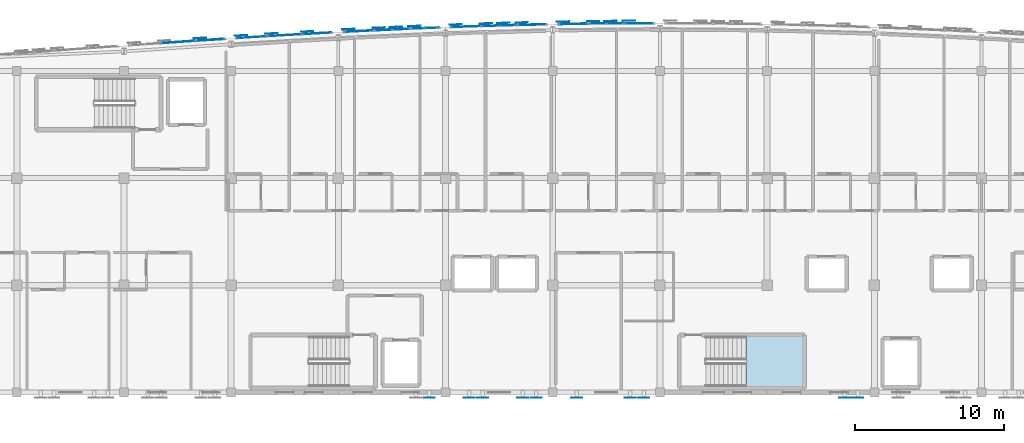
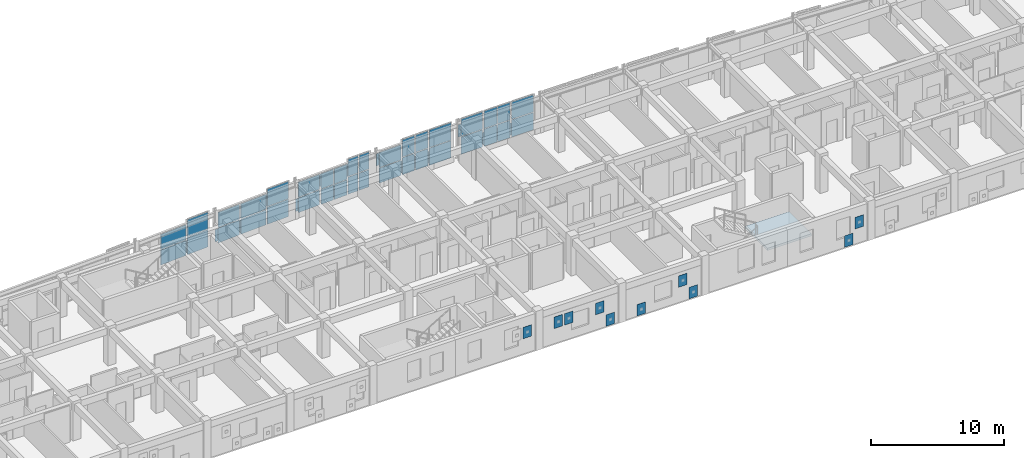
# One storey, part 32 of 48: 62 plates, 1 slab, 15 elements without a shape of their own.
"""IFC4 building model written with IfcOpenShell, lengths in metres."""

from ifc_helpers import new_model, si_unit, direction, frame, origin, origin_2d, place, context, subcontext, project, spatial, polyline, rectangle, outline, extrude, material, layer, layer_set, type_object, element, aggregate, save


model = new_model("IFC4")

# Units and contexts
model_context = context("Model", 3, precision=1e-05, world=origin(), true_north=direction((0.0, 1.0)))
body_context = subcontext(model_context, "Body", "Model", "MODEL_VIEW")
ifc_project = project(units=[si_unit("LENGTHUNIT", "METRE"), si_unit("AREAUNIT", "SQUARE_METRE"), si_unit("VOLUMEUNIT", "CUBIC_METRE"), si_unit("PLANEANGLEUNIT", "RADIAN"), si_unit("MASSUNIT", "GRAM", prefix="KILO")], contexts=[model_context])

# Site, building, storey
site_placement = place(None, origin())
site = spatial("IfcSite", under=ifc_project, at=site_placement, CompositionType="ELEMENT")
building_placement = place(site_placement, origin())
building = spatial("IfcBuilding", under=site, at=building_placement, Name="Carrowvane Square Congress Hotel", CompositionType="ELEMENT")
storey_placement = place(building_placement, frame((0.0, 0.0, 26.39990234375)))
storey = spatial("IfcBuildingStorey", under=building, at=storey_placement, Name="L06", CompositionType="ELEMENT", Elevation=26.39990234375)

# Curtain wall, plates
ifc_material_1 = material(Name="Anodised aluminium", Category="aluminium")
ifc_layer_1 = layer(ifc_material_1, 0.18603515625)
ifc_layer_set_1 = layer_set([ifc_layer_1], Name="Anodised aluminium")
curtain_wall_type_1 = type_object("IfcCurtainWallType", Name="CW-SYS-3", PredefinedType="NOTDEFINED", material=ifc_layer_set_1)
curtain_wall_1_placement = place(storey_placement, origin())
curtain_wall_1 = element("IfcCurtainWall", 1, at=curtain_wall_1_placement, inside=storey, type_object=curtain_wall_type_1, Name="L06 unitised curtain wall 370", PredefinedType="NOTDEFINED")
ifc_material_2 = material(Name="Double-glazed low-E glass", Category="glass")
ifc_layer_2 = layer(ifc_material_2, 0.028076171875)
ifc_layer_set_2 = layer_set([ifc_layer_2], Name="Double-glazed low-E glass")
plate_type_1 = type_object("IfcPlateType", Name="CW-PAN-1", PredefinedType="CURTAIN_PANEL", material=ifc_layer_set_2)
plate_1_placement = place(storey_placement, frame((70.580078125, 115.66064453125, 0.06005859375), z_axis=(0.0, 0.0, 1.0), x_axis=(0.998051378998, 0.062397474952, 0.0)))
plate_1 = element("IfcPlate", 2, at=plate_1_placement, type_object=plate_type_1, Name="CW-3 panel 1.1", PredefinedType="CURTAIN_PANEL", context=body_context, shape_type="SweptSolid", body=[
    extrude(rectangle(XDim=1.924072265625, YDim=0.028076171875, at=origin_2d()), origin(), (0.0, 0.0, 1.0), 1.372802734375),
])
plate_2_placement = place(storey_placement, frame((70.580078125, 115.66064453125, 1.49267578125), z_axis=(0.0, 0.0, 1.0), x_axis=(0.998051378998, 0.062397474952, 0.0)))
plate_2 = element("IfcPlate", 3, at=plate_2_placement, type_object=plate_type_1, Name="CW-3 panel 1.2", PredefinedType="CURTAIN_PANEL", context=body_context, shape_type="SweptSolid", body=[
    extrude(rectangle(XDim=1.924072265625, YDim=0.028076171875, at=origin_2d()), origin(), (0.0, 0.0, 1.0), 1.372802734375),
])
aggregate(curtain_wall_1, [plate_1, plate_2])

ifc_material_3 = material(Name="Anodised aluminium", Category="aluminium")
ifc_layer_3 = layer(ifc_material_3, 0.24609375)
ifc_layer_set_3 = layer_set([ifc_layer_3], Name="Anodised aluminium")
curtain_wall_type_2 = type_object("IfcCurtainWallType", Name="CW-SYS-8", PredefinedType="NOTDEFINED", material=ifc_layer_set_3)
curtain_wall_2_placement = place(storey_placement, origin())
curtain_wall_2 = element("IfcCurtainWall", 4, at=curtain_wall_2_placement, inside=storey, type_object=curtain_wall_type_2, Name="L06 unitised curtain wall 375", PredefinedType="NOTDEFINED")
plate_3_placement = place(storey_placement, frame((81.7177734375, 116.248291015625, 0.06982421875), z_axis=(0.0, 0.0, 1.0), x_axis=(0.999194236464, 0.040135742379, 0.0)))
plate_3 = element("IfcPlate", 5, at=plate_3_placement, type_object=plate_type_1, Name="CW-8 panel 1.1", PredefinedType="CURTAIN_PANEL", context=body_context, shape_type="SweptSolid", body=[
    extrude(rectangle(XDim=0.896240234375, YDim=0.028076171875, at=origin_2d()), origin(), (0.0, 0.0, 1.0), 1.570068359375),
])
plate_4_placement = place(storey_placement, frame((81.7177734375, 116.248291015625, 1.7099609375), z_axis=(0.0, 0.0, 1.0), x_axis=(0.999194236464, 0.040135742379, 0.0)))
plate_4 = element("IfcPlate", 6, at=plate_4_placement, type_object=plate_type_1, Name="CW-8 panel 1.2", PredefinedType="CURTAIN_PANEL", context=body_context, shape_type="SweptSolid", body=[
    extrude(rectangle(XDim=0.896240234375, YDim=0.028076171875, at=origin_2d()), origin(), (0.0, 0.0, 1.0), 1.570068359375),
])
plate_5_placement = place(storey_placement, frame((82.683349609375, 116.287109375, 0.06982421875), z_axis=(0.0, 0.0, 1.0), x_axis=(0.999194236464, 0.040135742379, 0.0)))
plate_5 = element("IfcPlate", 7, at=plate_5_placement, type_object=plate_type_1, Name="CW-8 panel 2.1", PredefinedType="CURTAIN_PANEL", context=body_context, shape_type="SweptSolid", body=[
    extrude(rectangle(XDim=0.896240234375, YDim=0.028076171875, at=origin_2d()), origin(), (0.0, 0.0, 1.0), 1.570068359375),
])
plate_6_placement = place(storey_placement, frame((82.683349609375, 116.287109375, 1.7099609375), z_axis=(0.0, 0.0, 1.0), x_axis=(0.999194236464, 0.040135742379, 0.0)))
plate_6 = element("IfcPlate", 8, at=plate_6_placement, type_object=plate_type_1, Name="CW-8 panel 2.2", PredefinedType="CURTAIN_PANEL", context=body_context, shape_type="SweptSolid", body=[
    extrude(rectangle(XDim=0.896240234375, YDim=0.028076171875, at=origin_2d()), origin(), (0.0, 0.0, 1.0), 1.570068359375),
])
aggregate(curtain_wall_2, [plate_3, plate_4, plate_5, plate_6])

ifc_material_4 = material(Name="Anodised aluminium", Category="aluminium")
ifc_layer_4 = layer(ifc_material_4, 0.2099609375)
ifc_layer_set_4 = layer_set([ifc_layer_4], Name="Anodised aluminium")
curtain_wall_type_3 = type_object("IfcCurtainWallType", Name="CW-SYS-5", PredefinedType="NOTDEFINED", material=ifc_layer_set_4)
curtain_wall_3_placement = place(storey_placement, origin())
curtain_wall_3 = element("IfcCurtainWall", 9, at=curtain_wall_3_placement, inside=storey, type_object=curtain_wall_type_3, Name="L06 unitised curtain wall 380", PredefinedType="NOTDEFINED")
plate_7_placement = place(storey_placement, frame((93.81494140625, 116.57470703125, 0.06005859375), z_axis=(0.0, 0.0, 1.0), x_axis=(0.999952146231, 0.009782905924, 0.0)))
plate_7 = element("IfcPlate", 10, at=plate_7_placement, type_object=plate_type_1, Name="CW-5 panel 1.1", PredefinedType="CURTAIN_PANEL", context=body_context, shape_type="SweptSolid", body=[
    extrude(rectangle(XDim=1.110107421875, YDim=0.028076171875, at=origin_2d()), origin(), (0.0, 0.0, 1.0), 1.5849609375),
])
plate_8_placement = place(storey_placement, frame((93.81494140625, 116.57470703125, 1.705078125), z_axis=(0.0, 0.0, 1.0), x_axis=(0.999952146231, 0.009782905924, 0.0)))
plate_8 = element("IfcPlate", 11, at=plate_8_placement, type_object=plate_type_1, Name="CW-5 panel 1.2", PredefinedType="CURTAIN_PANEL", context=body_context, shape_type="SweptSolid", body=[
    extrude(rectangle(XDim=1.110107421875, YDim=0.028076171875, at=origin_2d()), origin(), (0.0, 0.0, 1.0), 1.5849609375),
])
plate_9_placement = place(storey_placement, frame((94.985107421875, 116.586181640625, 0.06005859375), z_axis=(0.0, 0.0, 1.0), x_axis=(0.999952146231, 0.009782905924, 0.0)))
plate_9 = element("IfcPlate", 12, at=plate_9_placement, type_object=plate_type_1, Name="CW-5 panel 2.1", PredefinedType="CURTAIN_PANEL", context=body_context, shape_type="SweptSolid", body=[
    extrude(rectangle(XDim=1.110107421875, YDim=0.028076171875, at=origin_2d()), origin(), (0.0, 0.0, 1.0), 1.5849609375),
])
plate_10_placement = place(storey_placement, frame((94.985107421875, 116.586181640625, 1.705078125), z_axis=(0.0, 0.0, 1.0), x_axis=(0.999952146231, 0.009782905924, 0.0)))
plate_10 = element("IfcPlate", 13, at=plate_10_placement, type_object=plate_type_1, Name="CW-5 panel 2.2", PredefinedType="CURTAIN_PANEL", context=body_context, shape_type="SweptSolid", body=[
    extrude(rectangle(XDim=1.110107421875, YDim=0.028076171875, at=origin_2d()), origin(), (0.0, 0.0, 1.0), 1.5849609375),
])
aggregate(curtain_wall_3, [plate_7, plate_8, plate_9, plate_10])

ifc_material_5 = material(Name="Anodised aluminium", Category="aluminium")
ifc_layer_5 = layer(ifc_material_5, 0.197998046875)
ifc_layer_set_5 = layer_set([ifc_layer_5], Name="Anodised aluminium")
curtain_wall_type_4 = type_object("IfcCurtainWallType", Name="CW-SYS-4", PredefinedType="NOTDEFINED", material=ifc_layer_set_5)
curtain_wall_4_placement = place(storey_placement, origin())
curtain_wall_4 = element("IfcCurtainWall", 14, at=curtain_wall_4_placement, inside=storey, type_object=curtain_wall_type_4, Name="L06 unitised curtain wall 371", PredefinedType="NOTDEFINED")
ifc_material_6 = material(Name="Double-glazed low-E glass", Category="glass")
ifc_layer_6 = layer(ifc_material_6, 0.031982421875)
ifc_layer_set_6 = layer_set([ifc_layer_6], Name="Double-glazed low-E glass")
plate_type_2 = type_object("IfcPlateType", Name="CW-PAN-2", PredefinedType="CURTAIN_PANEL", material=ifc_layer_set_6)
plate_11_placement = place(storey_placement, frame((72.800048828125, 115.795166015625, 0.070068359375), z_axis=(0.0, 0.0, 1.0), x_axis=(0.998266763162, 0.058851249486, 0.0)))
plate_11 = element("IfcPlate", 15, at=plate_11_placement, type_object=plate_type_2, Name="CW-4 panel 1.1", PredefinedType="CURTAIN_PANEL", context=body_context, shape_type="SweptSolid", body=[
    extrude(rectangle(XDim=2.26416015625, YDim=0.031982421875, at=origin_2d()), origin(), (0.0, 0.0, 1.0), 1.35791015625),
])
plate_12_placement = place(storey_placement, frame((72.800048828125, 115.795166015625, 1.497802734375), z_axis=(0.0, 0.0, 1.0), x_axis=(0.998266763162, 0.058851249486, 0.0)))
plate_12 = element("IfcPlate", 16, at=plate_12_placement, type_object=plate_type_2, Name="CW-4 panel 1.2", PredefinedType="CURTAIN_PANEL", context=body_context, shape_type="SweptSolid", body=[
    extrude(rectangle(XDim=2.26416015625, YDim=0.031982421875, at=origin_2d()), origin(), (0.0, 0.0, 1.0), 1.35791015625),
])
aggregate(curtain_wall_4, [plate_11, plate_12])

ifc_material_7 = material(Name="Anodised aluminium", Category="aluminium")
ifc_layer_7 = layer(ifc_material_7, 0.162109375)
ifc_layer_set_7 = layer_set([ifc_layer_7], Name="Anodised aluminium")
curtain_wall_type_5 = type_object("IfcCurtainWallType", Name="CW-SYS-1", PredefinedType="NOTDEFINED", material=ifc_layer_set_7)
curtain_wall_5_placement = place(storey_placement, origin())
curtain_wall_5 = element("IfcCurtainWall", 17, at=curtain_wall_5_placement, inside=storey, type_object=curtain_wall_type_5, Name="L06 unitised curtain wall 376", PredefinedType="NOTDEFINED")
plate_13_placement = place(storey_placement, frame((84.9853515625, 116.371826171875, 0.06005859375), z_axis=(0.0, 0.0, 1.0), x_axis=(0.999403774749, 0.034526729036, 0.0)))
plate_13 = element("IfcPlate", 18, at=plate_13_placement, type_object=plate_type_2, Name="CW-1 panel 1.1", PredefinedType="CURTAIN_PANEL", context=body_context, shape_type="SweptSolid", body=[
    extrude(rectangle(XDim=1.91064453125, YDim=0.031982421875, at=origin_2d()), origin(), (0.0, 0.0, 1.0), 1.372802734375),
])
plate_14_placement = place(storey_placement, frame((84.9853515625, 116.371826171875, 1.49267578125), z_axis=(0.0, 0.0, 1.0), x_axis=(0.999403774749, 0.034526729036, 0.0)))
plate_14 = element("IfcPlate", 19, at=plate_14_placement, type_object=plate_type_2, Name="CW-1 panel 1.2", PredefinedType="CURTAIN_PANEL", context=body_context, shape_type="SweptSolid", body=[
    extrude(rectangle(XDim=1.91064453125, YDim=0.031982421875, at=origin_2d()), origin(), (0.0, 0.0, 1.0), 1.372802734375),
])
aggregate(curtain_wall_5, [plate_13, plate_14])

ifc_material_8 = material(Name="Anodised aluminium", Category="aluminium")
ifc_layer_8 = layer(ifc_material_8, 0.221923828125)
ifc_layer_set_8 = layer_set([ifc_layer_8], Name="Anodised aluminium")
curtain_wall_type_6 = type_object("IfcCurtainWallType", Name="CW-SYS-6", PredefinedType="NOTDEFINED", material=ifc_layer_set_8)
curtain_wall_6_placement = place(storey_placement, origin())
curtain_wall_6 = element("IfcCurtainWall", 20, at=curtain_wall_6_placement, inside=storey, type_object=curtain_wall_type_6, Name="L06 unitised curtain wall 381", PredefinedType="NOTDEFINED")
plate_15_placement = place(storey_placement, frame((96.607666015625, 116.595458984375, 0.06982421875), z_axis=(0.0, 0.0, 1.0), x_axis=(0.999994652529, 0.003270307911, 0.0)))
plate_15 = element("IfcPlate", 21, at=plate_15_placement, type_object=plate_type_2, Name="CW-6 panel 1.1", PredefinedType="CURTAIN_PANEL", context=body_context, shape_type="SweptSolid", body=[
    extrude(rectangle(XDim=1.875, YDim=0.031982421875, at=origin_2d()), origin(), (0.0, 0.0, 1.0), 1.570068359375),
])
plate_16_placement = place(storey_placement, frame((96.607666015625, 116.595458984375, 1.7099609375), z_axis=(0.0, 0.0, 1.0), x_axis=(0.999994652529, 0.003270307911, 0.0)))
plate_16 = element("IfcPlate", 22, at=plate_16_placement, type_object=plate_type_2, Name="CW-6 panel 1.2", PredefinedType="CURTAIN_PANEL", context=body_context, shape_type="SweptSolid", body=[
    extrude(rectangle(XDim=1.875, YDim=0.031982421875, at=origin_2d()), origin(), (0.0, 0.0, 1.0), 1.570068359375),
])
aggregate(curtain_wall_6, [plate_15, plate_16])

curtain_wall_7_placement = place(storey_placement, origin())
curtain_wall_7 = element("IfcCurtainWall", 23, at=curtain_wall_7_placement, inside=storey, type_object=curtain_wall_type_3, Name="L06 unitised curtain wall 372", PredefinedType="NOTDEFINED")
ifc_material_9 = material(Name="Double-glazed low-E glass", Category="glass")
ifc_layer_9 = layer(ifc_material_9, 0.035888671875)
ifc_layer_set_9 = layer_set([ifc_layer_9], Name="Double-glazed low-E glass")
plate_type_3 = type_object("IfcPlateType", Name="CW-PAN-3", PredefinedType="CURTAIN_PANEL", material=ifc_layer_set_9)
plate_17_placement = place(storey_placement, frame((74.997802734375, 115.920654296875, 0.06005859375), z_axis=(0.0, 0.0, 1.0), x_axis=(0.998496473856, 0.054815980317, 0.0)))
plate_17 = element("IfcPlate", 24, at=plate_17_placement, type_object=plate_type_3, Name="CW-5 panel 1.1", PredefinedType="CURTAIN_PANEL", context=body_context, shape_type="SweptSolid", body=[
    extrude(rectangle(XDim=1.87841796875, YDim=0.035888671875, at=origin_2d()), origin(), (0.0, 0.0, 1.0), 1.5849609375),
])
plate_18_placement = place(storey_placement, frame((74.997802734375, 115.920654296875, 1.705078125), z_axis=(0.0, 0.0, 1.0), x_axis=(0.998496473856, 0.054815980317, 0.0)))
plate_18 = element("IfcPlate", 25, at=plate_18_placement, type_object=plate_type_3, Name="CW-5 panel 1.2", PredefinedType="CURTAIN_PANEL", context=body_context, shape_type="SweptSolid", body=[
    extrude(rectangle(XDim=1.87841796875, YDim=0.035888671875, at=origin_2d()), origin(), (0.0, 0.0, 1.0), 1.5849609375),
])
aggregate(curtain_wall_7, [plate_17, plate_18])

ifc_material_10 = material(Name="Anodised aluminium", Category="aluminium")
ifc_layer_10 = layer(ifc_material_10, 0.174072265625)
ifc_layer_set_10 = layer_set([ifc_layer_10], Name="Anodised aluminium")
curtain_wall_type_7 = type_object("IfcCurtainWallType", Name="CW-SYS-2", PredefinedType="NOTDEFINED", material=ifc_layer_set_10)
curtain_wall_8_placement = place(storey_placement, origin())
curtain_wall_8 = element("IfcCurtainWall", 26, at=curtain_wall_8_placement, inside=storey, type_object=curtain_wall_type_7, Name="L06 unitised curtain wall 377", PredefinedType="NOTDEFINED")
plate_19_placement = place(storey_placement, frame((86.617431640625, 116.424560546875, 0.06982421875), z_axis=(0.0, 0.0, 1.0), x_axis=(0.999589848065, 0.028638010501, 0.0)))
plate_19 = element("IfcPlate", 27, at=plate_19_placement, type_object=plate_type_3, Name="CW-2 panel 1.1", PredefinedType="CURTAIN_PANEL", context=body_context, shape_type="SweptSolid", body=[
    extrude(rectangle(XDim=1.095458984375, YDim=0.035888671875, at=origin_2d()), origin(), (0.0, 0.0, 1.0), 1.570068359375),
])
plate_20_placement = place(storey_placement, frame((86.617431640625, 116.424560546875, 1.7099609375), z_axis=(0.0, 0.0, 1.0), x_axis=(0.999589848065, 0.028638010501, 0.0)))
plate_20 = element("IfcPlate", 28, at=plate_20_placement, type_object=plate_type_3, Name="CW-2 panel 1.2", PredefinedType="CURTAIN_PANEL", context=body_context, shape_type="SweptSolid", body=[
    extrude(rectangle(XDim=1.095458984375, YDim=0.035888671875, at=origin_2d()), origin(), (0.0, 0.0, 1.0), 1.570068359375),
])
plate_21_placement = place(storey_placement, frame((87.782470703125, 116.4580078125, 0.06982421875), z_axis=(0.0, 0.0, 1.0), x_axis=(0.999589848065, 0.028638010501, 0.0)))
plate_21 = element("IfcPlate", 29, at=plate_21_placement, type_object=plate_type_3, Name="CW-2 panel 2.1", PredefinedType="CURTAIN_PANEL", context=body_context, shape_type="SweptSolid", body=[
    extrude(rectangle(XDim=1.095458984375, YDim=0.035888671875, at=origin_2d()), origin(), (0.0, 0.0, 1.0), 1.570068359375),
])
plate_22_placement = place(storey_placement, frame((87.782470703125, 116.4580078125, 1.7099609375), z_axis=(0.0, 0.0, 1.0), x_axis=(0.999589848065, 0.028638010501, 0.0)))
plate_22 = element("IfcPlate", 30, at=plate_22_placement, type_object=plate_type_3, Name="CW-2 panel 2.2", PredefinedType="CURTAIN_PANEL", context=body_context, shape_type="SweptSolid", body=[
    extrude(rectangle(XDim=1.095458984375, YDim=0.035888671875, at=origin_2d()), origin(), (0.0, 0.0, 1.0), 1.570068359375),
])
aggregate(curtain_wall_8, [plate_19, plate_20, plate_21, plate_22])

curtain_wall_9_placement = place(storey_placement, origin())
curtain_wall_9 = element("IfcCurtainWall", 31, at=curtain_wall_9_placement, inside=storey, type_object=curtain_wall_type_5, Name="L06 unitised curtain wall 368", PredefinedType="NOTDEFINED")
ifc_material_11 = material(Name="Double-glazed low-E glass", Category="glass")
ifc_layer_11 = layer(ifc_material_11, 0.0419921875)
ifc_layer_set_11 = layer_set([ifc_layer_11], Name="Double-glazed low-E glass")
plate_type_4 = type_object("IfcPlateType", Name="CW-PAN-4", PredefinedType="CURTAIN_PANEL", material=ifc_layer_set_11)
plate_23_placement = place(storey_placement, frame((65.599853515625, 115.33544921875, 0.06005859375), z_axis=(0.0, 0.0, 1.0), x_axis=(0.997694484404, 0.067865424104, 0.0)))
plate_23 = element("IfcPlate", 32, at=plate_23_placement, type_object=plate_type_4, Name="CW-1 panel 1.1", PredefinedType="CURTAIN_PANEL", context=body_context, shape_type="SweptSolid", body=[
    extrude(rectangle(XDim=2.285400390625, YDim=0.0419921875, at=origin_2d()), origin(), (0.0, 0.0, 1.0), 1.372802734375),
])
plate_24_placement = place(storey_placement, frame((65.599853515625, 115.33544921875, 1.49267578125), z_axis=(0.0, 0.0, 1.0), x_axis=(0.997694484404, 0.067865424104, 0.0)))
plate_24 = element("IfcPlate", 33, at=plate_24_placement, type_object=plate_type_4, Name="CW-1 panel 1.2", PredefinedType="CURTAIN_PANEL", context=body_context, shape_type="SweptSolid", body=[
    extrude(rectangle(XDim=2.285400390625, YDim=0.0419921875, at=origin_2d()), origin(), (0.0, 0.0, 1.0), 1.372802734375),
])
aggregate(curtain_wall_9, [plate_23, plate_24])

curtain_wall_10_placement = place(storey_placement, origin())
curtain_wall_10 = element("IfcCurtainWall", 34, at=curtain_wall_10_placement, inside=storey, type_object=curtain_wall_type_6, Name="L06 unitised curtain wall 373", PredefinedType="NOTDEFINED")
plate_25_placement = place(storey_placement, frame((77.7822265625, 116.067138671875, 0.070068359375), z_axis=(0.0, 0.0, 1.0), x_axis=(0.998732955299, 0.050323791596, 0.0)))
plate_25 = element("IfcPlate", 35, at=plate_25_placement, type_object=plate_type_4, Name="CW-6 panel 1.1", PredefinedType="CURTAIN_PANEL", context=body_context, shape_type="SweptSolid", body=[
    extrude(rectangle(XDim=1.89794921875, YDim=0.0419921875, at=origin_2d()), origin(), (0.0, 0.0, 1.0), 1.35791015625),
])
plate_26_placement = place(storey_placement, frame((77.7822265625, 116.067138671875, 1.497802734375), z_axis=(0.0, 0.0, 1.0), x_axis=(0.998732955299, 0.050323791596, 0.0)))
plate_26 = element("IfcPlate", 36, at=plate_26_placement, type_object=plate_type_4, Name="CW-6 panel 1.2", PredefinedType="CURTAIN_PANEL", context=body_context, shape_type="SweptSolid", body=[
    extrude(rectangle(XDim=1.89794921875, YDim=0.0419921875, at=origin_2d()), origin(), (0.0, 0.0, 1.0), 1.35791015625),
])
aggregate(curtain_wall_10, [plate_25, plate_26])

curtain_wall_11_placement = place(storey_placement, origin())
curtain_wall_11 = element("IfcCurtainWall", 37, at=curtain_wall_11_placement, inside=storey, type_object=curtain_wall_type_1, Name="L06 unitised curtain wall 378", PredefinedType="NOTDEFINED")
plate_27_placement = place(storey_placement, frame((89.40380859375, 116.498291015625, 0.06005859375), z_axis=(0.0, 0.0, 1.0), x_axis=(0.99974644475, 0.022517686606, 0.0)))
plate_27 = element("IfcPlate", 38, at=plate_27_placement, type_object=plate_type_4, Name="CW-3 panel 1.1", PredefinedType="CURTAIN_PANEL", context=body_context, shape_type="SweptSolid", body=[
    extrude(rectangle(XDim=1.88818359375, YDim=0.0419921875, at=origin_2d()), origin(), (0.0, 0.0, 1.0), 1.5849609375),
])
plate_28_placement = place(storey_placement, frame((89.40380859375, 116.498291015625, 1.705078125), z_axis=(0.0, 0.0, 1.0), x_axis=(0.99974644475, 0.022517686606, 0.0)))
plate_28 = element("IfcPlate", 39, at=plate_28_placement, type_object=plate_type_4, Name="CW-3 panel 1.2", PredefinedType="CURTAIN_PANEL", context=body_context, shape_type="SweptSolid", body=[
    extrude(rectangle(XDim=1.88818359375, YDim=0.0419921875, at=origin_2d()), origin(), (0.0, 0.0, 1.0), 1.5849609375),
])
aggregate(curtain_wall_11, [plate_27, plate_28])

curtain_wall_12_placement = place(storey_placement, origin())
curtain_wall_12 = element("IfcCurtainWall", 40, at=curtain_wall_12_placement, inside=storey, type_object=curtain_wall_type_7, Name="L06 unitised curtain wall 369", PredefinedType="NOTDEFINED")
ifc_material_12 = material(Name="Double-glazed low-E glass", Category="glass")
ifc_layer_12 = layer(ifc_material_12, 0.048095703125)
ifc_layer_set_12 = layer_set([ifc_layer_12], Name="Double-glazed low-E glass")
plate_type_5 = type_object("IfcPlateType", Name="CW-PAN-5", PredefinedType="CURTAIN_PANEL", material=ifc_layer_set_12)
plate_29_placement = place(storey_placement, frame((67.795654296875, 115.482177734375, 0.06982421875), z_axis=(0.0, 0.0, 1.0), x_axis=(0.997858327155, 0.065412223074, 0.0)))
plate_29 = element("IfcPlate", 41, at=plate_29_placement, type_object=plate_type_5, Name="CW-2 panel 1.1", PredefinedType="CURTAIN_PANEL", context=body_context, shape_type="SweptSolid", body=[
    extrude(rectangle(XDim=1.855712890625, YDim=0.048095703125, at=origin_2d()), origin(), (0.0, 0.0, 1.0), 1.570068359375),
])
plate_30_placement = place(storey_placement, frame((67.795654296875, 115.482177734375, 1.7099609375), z_axis=(0.0, 0.0, 1.0), x_axis=(0.997858327155, 0.065412223074, 0.0)))
plate_30 = element("IfcPlate", 42, at=plate_30_placement, type_object=plate_type_5, Name="CW-2 panel 1.2", PredefinedType="CURTAIN_PANEL", context=body_context, shape_type="SweptSolid", body=[
    extrude(rectangle(XDim=1.855712890625, YDim=0.048095703125, at=origin_2d()), origin(), (0.0, 0.0, 1.0), 1.570068359375),
])
aggregate(curtain_wall_12, [plate_29, plate_30])

ifc_material_13 = material(Name="Anodised aluminium", Category="aluminium")
ifc_layer_13 = layer(ifc_material_13, 0.23388671875)
ifc_layer_set_13 = layer_set([ifc_layer_13], Name="Anodised aluminium")
curtain_wall_type_8 = type_object("IfcCurtainWallType", Name="CW-SYS-7", PredefinedType="NOTDEFINED", material=ifc_layer_set_13)
curtain_wall_13_placement = place(storey_placement, origin())
curtain_wall_13 = element("IfcCurtainWall", 43, at=curtain_wall_13_placement, inside=storey, type_object=curtain_wall_type_8, Name="L06 unitised curtain wall 374", PredefinedType="NOTDEFINED")
plate_31_placement = place(storey_placement, frame((79.4150390625, 116.146484375, 0.06005859375), z_axis=(0.0, 0.0, 1.0), x_axis=(0.998968385726, 0.045411059449, 0.0)))
plate_31 = element("IfcPlate", 44, at=plate_31_placement, type_object=plate_type_5, Name="CW-7 panel 1.1", PredefinedType="CURTAIN_PANEL", context=body_context, shape_type="SweptSolid", body=[
    extrude(rectangle(XDim=1.111328125, YDim=0.048095703125, at=origin_2d()), origin(), (0.0, 0.0, 1.0), 1.372802734375),
])
plate_32_placement = place(storey_placement, frame((79.4150390625, 116.146484375, 1.49267578125), z_axis=(0.0, 0.0, 1.0), x_axis=(0.998968385726, 0.045411059449, 0.0)))
plate_32 = element("IfcPlate", 45, at=plate_32_placement, type_object=plate_type_5, Name="CW-7 panel 1.2", PredefinedType="CURTAIN_PANEL", context=body_context, shape_type="SweptSolid", body=[
    extrude(rectangle(XDim=1.111328125, YDim=0.048095703125, at=origin_2d()), origin(), (0.0, 0.0, 1.0), 1.372802734375),
])
plate_33_placement = place(storey_placement, frame((80.5849609375, 116.19970703125, 0.06005859375), z_axis=(0.0, 0.0, 1.0), x_axis=(0.998968385726, 0.045411059449, 0.0)))
plate_33 = element("IfcPlate", 46, at=plate_33_placement, type_object=plate_type_5, Name="CW-7 panel 2.1", PredefinedType="CURTAIN_PANEL", context=body_context, shape_type="SweptSolid", body=[
    extrude(rectangle(XDim=1.111328125, YDim=0.048095703125, at=origin_2d()), origin(), (0.0, 0.0, 1.0), 1.372802734375),
])
plate_34_placement = place(storey_placement, frame((80.5849609375, 116.19970703125, 1.49267578125), z_axis=(0.0, 0.0, 1.0), x_axis=(0.998968385726, 0.045411059449, 0.0)))
plate_34 = element("IfcPlate", 47, at=plate_34_placement, type_object=plate_type_5, Name="CW-7 panel 2.2", PredefinedType="CURTAIN_PANEL", context=body_context, shape_type="SweptSolid", body=[
    extrude(rectangle(XDim=1.111328125, YDim=0.048095703125, at=origin_2d()), origin(), (0.0, 0.0, 1.0), 1.372802734375),
])
aggregate(curtain_wall_13, [plate_31, plate_32, plate_33, plate_34])

curtain_wall_14_placement = place(storey_placement, origin())
curtain_wall_14 = element("IfcCurtainWall", 48, at=curtain_wall_14_placement, inside=storey, type_object=curtain_wall_type_4, Name="L06 unitised curtain wall 379", PredefinedType="NOTDEFINED")
plate_35_placement = place(storey_placement, frame((92.188720703125, 116.55224609375, 0.06982421875), z_axis=(0.0, 0.0, 1.0), x_axis=(0.99986851233, 0.016215981364, 0.0)))
plate_35 = element("IfcPlate", 49, at=plate_35_placement, type_object=plate_type_5, Name="CW-4 panel 1.1", PredefinedType="CURTAIN_PANEL", context=body_context, shape_type="SweptSolid", body=[
    extrude(rectangle(XDim=1.8828125, YDim=0.048095703125, at=origin_2d()), origin(), (0.0, 0.0, 1.0), 1.570068359375),
])
plate_36_placement = place(storey_placement, frame((92.188720703125, 116.55224609375, 1.7099609375), z_axis=(0.0, 0.0, 1.0), x_axis=(0.99986851233, 0.016215981364, 0.0)))
plate_36 = element("IfcPlate", 50, at=plate_36_placement, type_object=plate_type_5, Name="CW-4 panel 1.2", PredefinedType="CURTAIN_PANEL", context=body_context, shape_type="SweptSolid", body=[
    extrude(rectangle(XDim=1.8828125, YDim=0.048095703125, at=origin_2d()), origin(), (0.0, 0.0, 1.0), 1.570068359375),
])
aggregate(curtain_wall_14, [plate_35, plate_36])

# Plates
ifc_material_14 = material(Name="Champagne-gold anodised aluminium", Category="aluminium")
ifc_layer_14 = layer(ifc_material_14, 0.011962890625)
ifc_layer_set_14 = layer_set([ifc_layer_14], Name="Champagne-gold anodised aluminium")
plate_type_6 = type_object("IfcPlateType", Name="PLT-PIX-GOLD12", PredefinedType="SHEET", material=ifc_layer_set_14)
for number, where, z_axis, x_axis, name in (
    (51, (67.11328125, 115.603759765625, 0.1201171875), (0.0, 0.0, 1.0), (0.99785825325, 0.065413350476, 0.0), "Champagne-gold pixel screen plate 527"),
    (52, (71.91455078125, 115.9091796875, 0.1201171875), (0.0, 0.0, 1.0), (0.998266695506, 0.05885239709, 0.0), "Champagne-gold pixel screen plate 529"),
    (53, (77.08056640625, 116.197998046875, 0.1201171875), (0.0, 0.0, 1.0), (0.998733066647, 0.050321581706, 0.0), "Champagne-gold pixel screen plate 531"),
    (54, (81.517822265625, 116.406494140625, 1.590087890625), (0.0, 0.0, 1.0), (0.999194294234, 0.040134304148, 0.0), "Champagne-gold pixel screen plate 534"),
    (55, (86.31982421875, 116.582275390625, 0.1201171875), (0.0, 0.0, 1.0), (0.999589805464, 0.028639497417, 0.0), "Champagne-gold pixel screen plate 536"),
    (56, (87.48486328125, 116.615478515625, 0.1201171875), (0.0, 0.0, 1.0), (0.999589805464, 0.028639497417, 0.0), "Champagne-gold pixel screen plate 537"),
    (57, (91.49951171875, 116.70703125, 1.590087890625), (0.0, 0.0, 1.0), (0.999868508772, 0.016216200758, 0.0), "Champagne-gold pixel screen plate 539"),
    (58, (95.92431640625, 116.75927734375, 0.1201171875), (0.0, 0.0, 1.0), (0.999994654955, 0.003269565853, 0.0), "Champagne-gold pixel screen plate 542"),
):
    element("IfcPlate", number, at=place(storey_placement, frame(where, z_axis=z_axis, x_axis=x_axis)), inside=storey, type_object=plate_type_6, Name=name, PredefinedType="SHEET", context=body_context, shape_type="SweptSolid", body=[
        extrude(rectangle(XDim=0.827880859375, YDim=0.011962890625, at=origin_2d()), origin(), (0.0, 0.0, 1.0), 1.1201171875),
    ])
for number, where, z_axis, x_axis, name in (
    (59, (111.300048828125, 91.4541015625, 1.52490234375), (0.0, 0.0, 1.0), (-1.0, 0.0, 0.0), "Champagne-gold pixel screen plate S-601"),
    (60, (110.39990234375, 91.4541015625, 0.1552734375), (0.0, 0.0, 1.0), (-1.0, 0.0, 0.0), "Champagne-gold pixel screen plate S-602"),
    (61, (96.89990234375, 91.4541015625, 0.1552734375), (0.0, 0.0, 1.0), (-1.0, 0.0, 0.0), "Champagne-gold pixel screen plate S-603"),
    (62, (96.0, 91.4541015625, 1.52490234375), (0.0, 0.0, 1.0), (-1.0, 0.0, 0.0), "Champagne-gold pixel screen plate S-604"),
    (63, (92.39990234375, 91.4541015625, 0.1552734375), (0.0, 0.0, 1.0), (-1.0, 0.0, 0.0), "Champagne-gold pixel screen plate S-605"),
    (64, (82.5, 91.4541015625, 1.52490234375), (0.0, 0.0, 1.0), (-1.0, 0.0, 0.0), "Champagne-gold pixel screen plate S-610"),
):
    element("IfcPlate", number, at=place(storey_placement, frame(where, z_axis=z_axis, x_axis=x_axis)), inside=storey, type_object=plate_type_6, Name=name, PredefinedType="SHEET", context=body_context, shape_type="SweptSolid", body=[
        extrude(rectangle(XDim=0.738037109375, YDim=0.011962890625, at=origin_2d()), origin(), (0.0, 0.0, 1.0), 1.050048828125),
    ])
ifc_material_15 = material(Name="Champagne-gold anodised aluminium", Category="aluminium")
ifc_layer_15 = layer(ifc_material_15, 0.008056640625)
ifc_layer_set_15 = layer_set([ifc_layer_15], Name="Champagne-gold anodised aluminium")
plate_type_7 = type_object("IfcPlateType", Name="PLT-PIX-GOLD8", PredefinedType="SHEET", material=ifc_layer_set_15)
for number, where, z_axis, x_axis, name in (
    (65, (69.868896484375, 115.780517578125, 0.1201171875), (0.0, 0.0, 1.0), (0.998051413269, 0.062396926785, 0.0), "Champagne-gold pixel screen plate 528"),
    (66, (74.310302734375, 116.047119140625, 1.590087890625), (0.0, 0.0, 1.0), (0.998496552462, 0.054814548441, 0.0), "Champagne-gold pixel screen plate 530"),
    (67, (79.112060546875, 116.296875, 1.590087890625), (0.0, 0.0, 1.0), (0.998968255262, 0.045413929349, 0.0), "Champagne-gold pixel screen plate 532"),
    (68, (80.281982421875, 116.35009765625, 0.1201171875), (0.0, 0.0, 1.0), (0.998968255262, 0.045413929349, 0.0), "Champagne-gold pixel screen plate 533"),
    (69, (84.284423828125, 116.51171875, 1.590087890625), (0.0, 0.0, 1.0), (0.999403768784, 0.034526901703, 0.0), "Champagne-gold pixel screen plate 535"),
    (70, (88.716064453125, 116.646728515625, 0.1201171875), (0.0, 0.0, 1.0), (0.999746418061, 0.022518871507, 0.0), "Champagne-gold pixel screen plate 538"),
    (71, (93.51806640625, 116.73583984375, 0.1201171875), (0.0, 0.0, 1.0), (0.999952150705, 0.009782448565, 0.0), "Champagne-gold pixel screen plate 540"),
    (72, (94.688232421875, 116.747314453125, 0.1201171875), (0.0, 0.0, 1.0), (0.999952150705, 0.009782448565, 0.0), "Champagne-gold pixel screen plate 541"),
):
    element("IfcPlate", number, at=place(storey_placement, frame(where, z_axis=z_axis, x_axis=x_axis)), inside=storey, type_object=plate_type_7, Name=name, PredefinedType="SHEET", context=body_context, shape_type="SweptSolid", body=[
        extrude(rectangle(XDim=0.827880859375, YDim=0.008056640625, at=origin_2d()), origin(), (0.0, 0.0, 1.0), 1.1201171875),
    ])
for number, where, z_axis, x_axis, name in (
    (73, (89.699951171875, 91.4560546875, 0.1552734375), (0.0, 0.0, 1.0), (-1.0, 0.0, 0.0), "Champagne-gold pixel screen plate S-606"),
    (74, (88.800048828125, 91.4560546875, 1.52490234375), (0.0, 0.0, 1.0), (-1.0, 0.0, 0.0), "Champagne-gold pixel screen plate S-607"),
    (75, (86.10009765625, 91.4560546875, 1.52490234375), (0.0, 0.0, 1.0), (-1.0, 0.0, 0.0), "Champagne-gold pixel screen plate S-608"),
    (76, (85.199951171875, 91.4560546875, 1.52490234375), (0.0, 0.0, 1.0), (-1.0, 0.0, 0.0), "Champagne-gold pixel screen plate S-609"),
):
    element("IfcPlate", number, at=place(storey_placement, frame(where, z_axis=z_axis, x_axis=x_axis)), inside=storey, type_object=plate_type_7, Name=name, PredefinedType="SHEET", context=body_context, shape_type="SweptSolid", body=[
        extrude(rectangle(XDim=0.738037109375, YDim=0.008056640625, at=origin_2d()), origin(), (0.0, 0.0, 1.0), 1.050048828125),
    ])

# Stair, slab
ifc_material_16 = material(Name="Concrete C35/45", Category="concrete")
stair_type = type_object("IfcStairType", Name="STR-DOG-02", PredefinedType="HALF_TURN_STAIR", material=ifc_material_16)
stair_placement = place(storey_placement, origin())
stair = element("IfcStair", 77, at=stair_placement, inside=storey, type_object=stair_type, Name="L06 Core C3 East Hotel Escape Stair", PredefinedType="HALF_TURN_STAIR")
ifc_material_17 = material(Name="Concrete C35/45", Category="concrete")
ifc_layer_16 = layer(ifc_material_17, 0.199951171875)
ifc_layer_set_16 = layer_set([ifc_layer_16], Name="Concrete C35/45")
slab_type = type_object("IfcSlabType", Name="SLB-LND-200", PredefinedType="LANDING", material=ifc_layer_set_16)
slab_placement = place(storey_placement, frame((0.0, 0.0, 1.60009765625)))
slab = element("IfcSlab", 78, at=slab_placement, type_object=slab_type, Name="ST3 landing 1", PredefinedType="LANDING", context=body_context, shape_type="SweptSolid", body=[
    extrude(outline(polyline([(103.780029296875, 92.199951171875), (107.60009765625, 92.199951171875), (107.60009765625, 95.56005859375), (103.780029296875, 95.56005859375), (103.780029296875, 92.199951171875)])), origin(), (0.0, 0.0, 1.0), 0.199951171875),
])
aggregate(stair, [slab])

save(model, "model.ifc")
